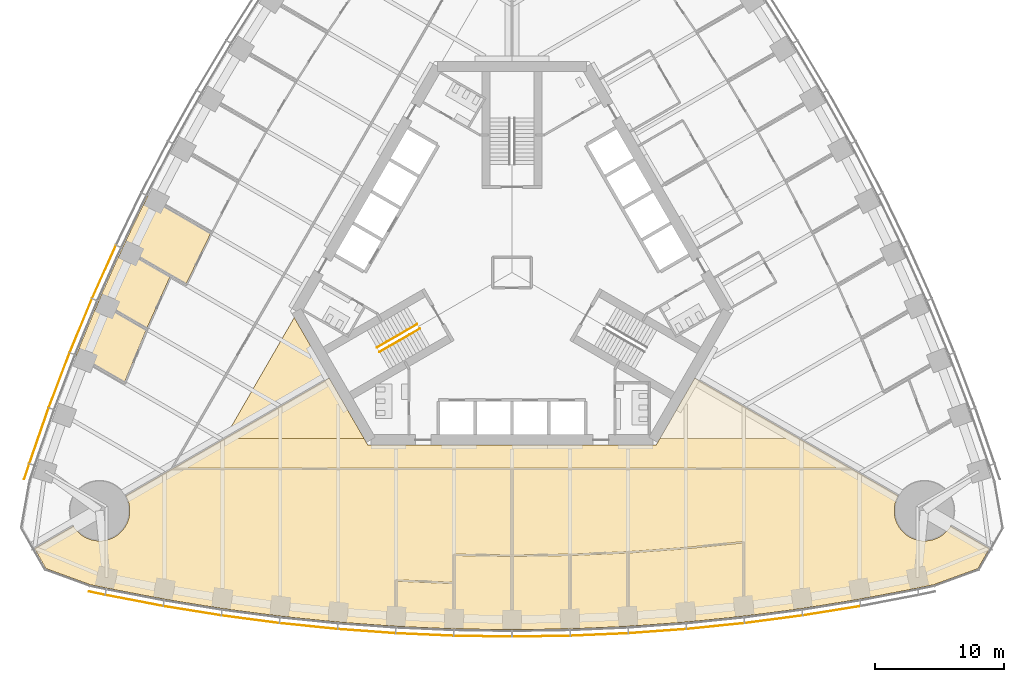
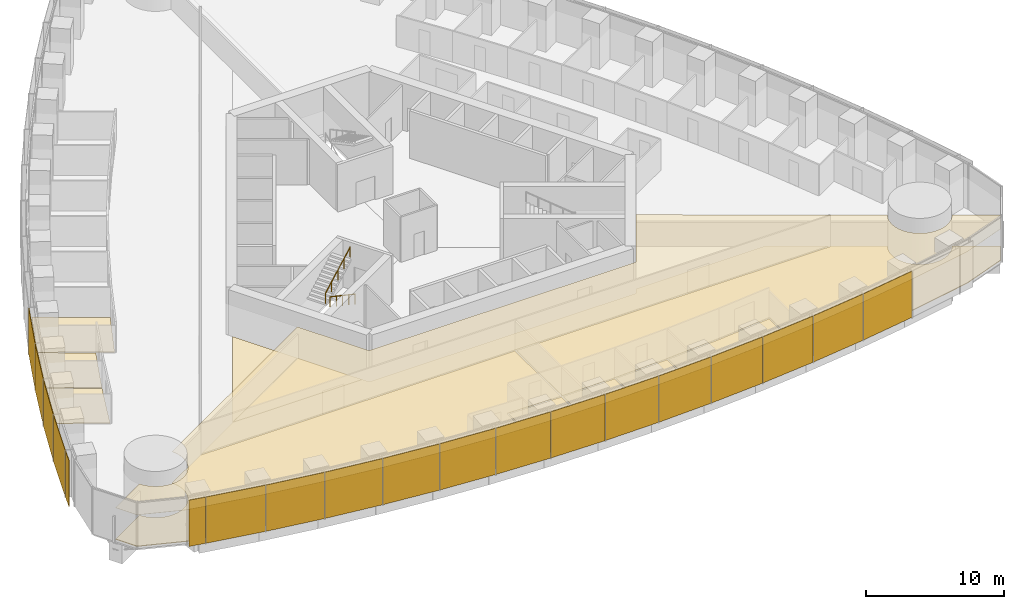
# One storey, part 14 of 18: 19 shading devices, 14 coverings, 2 railings.
"""IFC4 building model written with IfcOpenShell, lengths in metres."""

from ifc_helpers import new_model, si_unit, direction, frame, origin, origin_2d, place, context, subcontext, project, spatial, polyline, rectangle, circle, outline, extrude, material, layer, layer_set, type_object, element, save


model = new_model("IFC4")

# Units and contexts
model_context = context("Model", 3, precision=1e-05, world=origin(), true_north=direction((0.0, 1.0)))
body_context = subcontext(model_context, "Body", "Model", "MODEL_VIEW")
ifc_project = project(units=[si_unit("LENGTHUNIT", "METRE"), si_unit("AREAUNIT", "SQUARE_METRE"), si_unit("VOLUMEUNIT", "CUBIC_METRE"), si_unit("PLANEANGLEUNIT", "RADIAN"), si_unit("MASSUNIT", "GRAM", prefix="KILO")], contexts=[model_context])

# Site, building, storey
site_placement = place(None, origin())
site = spatial("IfcSite", under=ifc_project, at=site_placement, CompositionType="ELEMENT")
building_placement = place(site_placement, origin())
building = spatial("IfcBuilding", under=site, at=building_placement, Name="Trefoil Bronze Tower", CompositionType="ELEMENT")
storey_placement = place(building_placement, frame((0.0, 0.0, 58.5)))
storey = spatial("IfcBuildingStorey", under=building, at=storey_placement, Name="L13", CompositionType="ELEMENT", Elevation=58.5)

# Shading devices
ifc_material_1 = material(Name="Perforated bronze sheet", Category="bronze")
ifc_layer_1 = layer(ifc_material_1, 0.0400390625)
ifc_layer_set_1 = layer_set([ifc_layer_1], Name="Bronze solar screen panel")
shading_device_type = type_object("IfcShadingDeviceType", Name="Bronze solar screen panel", PredefinedType="SHUTTER", material=ifc_layer_set_1)
shading_device_1_placement = place(storey_placement, frame((-32.2431640625, -24.91064453125, 0.050048828125), z_axis=(0.0, 0.0, 1.0), x_axis=(0.978302717041, -0.207180582657, 0.0)))
element("IfcShadingDevice", 1, at=shading_device_1_placement, inside=storey, type_object=shading_device_type, Name="Solar screen CW-A L13 F1 bay 1", PredefinedType="SHUTTER", context=body_context, shape_type="SweptSolid", body=[
    extrude(rectangle(XDim=1.260498046875, YDim=0.0400390625, at=origin_2d()), origin(), (0.0, 0.0, 1.0), 4.10009765625),
])
shading_device_2_placement = place(storey_placement, frame((-29.351806640625, -25.478515625, 0.050048828125), z_axis=(0.0, 0.0, 1.0), x_axis=(0.982049823817, -0.188621694249, 0.0)))
element("IfcShadingDevice", 2, at=shading_device_2_placement, inside=storey, type_object=shading_device_type, Name="Solar screen CW-A L13 F1 bay 2", PredefinedType="SHUTTER", context=body_context, shape_type="SweptSolid", body=[
    extrude(rectangle(XDim=4.55224609375, YDim=0.0400390625, at=origin_2d()), origin(), (0.0, 0.0, 1.0), 4.10009765625),
])
shading_device_3_placement = place(storey_placement, frame((-24.836181640625, -26.277099609375, 0.050048828125), z_axis=(0.0, 0.0, 1.0), x_axis=(0.987181315145, -0.159602791421, 0.0)))
element("IfcShadingDevice", 3, at=shading_device_3_placement, inside=storey, type_object=shading_device_type, Name="Solar screen CW-A L13 F1 bay 3", PredefinedType="SHUTTER", context=body_context, shape_type="SweptSolid", body=[
    extrude(rectangle(XDim=4.5283203125, YDim=0.0400390625, at=origin_2d()), origin(), (0.0, 0.0, 1.0), 4.10009765625),
])
shading_device_4_placement = place(storey_placement, frame((-20.320556640625, -26.939697265625, 0.050048828125), z_axis=(0.0, 0.0, 1.0), x_axis=(0.991437251591, -0.130583981243, 0.0)))
element("IfcShadingDevice", 4, at=shading_device_4_placement, inside=storey, type_object=shading_device_type, Name="Solar screen CW-A L13 F1 bay 4", PredefinedType="SHUTTER", context=body_context, shape_type="SweptSolid", body=[
    extrude(rectangle(XDim=4.5087890625, YDim=0.0400390625, at=origin_2d()), origin(), (0.0, 0.0, 1.0), 4.10009765625),
])
shading_device_5_placement = place(storey_placement, frame((-15.804931640625, -27.467529296875, 0.050048828125), z_axis=(0.0, 0.0, 1.0), x_axis=(0.994828880293, -0.101565244717, 0.0)))
element("IfcShadingDevice", 5, at=shading_device_5_placement, inside=storey, type_object=shading_device_type, Name="Solar screen CW-A L13 F1 bay 5", PredefinedType="SHUTTER", context=body_context, shape_type="SweptSolid", body=[
    extrude(rectangle(XDim=4.493408203125, YDim=0.0400390625, at=origin_2d()), origin(), (0.0, 0.0, 1.0), 4.10009765625),
])
shading_device_6_placement = place(storey_placement, frame((-11.2890625, -27.8623046875, 0.050048828125), z_axis=(0.0, 0.0, 1.0), x_axis=(0.99736502647, -0.072546564177, 0.0)))
element("IfcShadingDevice", 6, at=shading_device_6_placement, inside=storey, type_object=shading_device_type, Name="Solar screen CW-A L13 F1 bay 6", PredefinedType="SHUTTER", context=body_context, shape_type="SweptSolid", body=[
    extrude(rectangle(XDim=4.48193359375, YDim=0.0400390625, at=origin_2d()), origin(), (0.0, 0.0, 1.0), 4.10009765625),
])
shading_device_7_placement = place(storey_placement, frame((-6.7734375, -28.124755859375, 0.050048828125), z_axis=(0.0, 0.0, 1.0), x_axis=(0.999052210809, -0.043527922969, 0.0)))
element("IfcShadingDevice", 7, at=shading_device_7_placement, inside=storey, type_object=shading_device_type, Name="Solar screen CW-A L13 F1 bay 7", PredefinedType="SHUTTER", context=body_context, shape_type="SweptSolid", body=[
    extrude(rectangle(XDim=4.474365234375, YDim=0.0400390625, at=origin_2d()), origin(), (0.0, 0.0, 1.0), 4.10009765625),
])
for number, where, z_axis, x_axis, name in (
    (8, (-2.2578125, -28.256103515625, 0.050048828125), (0.0, 0.0, 1.0), (0.999894734493, -0.014509305083, 0.0), "Solar screen CW-A L13 F1 bay 8"),
    (9, (2.2578125, -28.256103515625, 0.050048828125), (0.0, 0.0, 1.0), (0.999894734493, 0.014509305083, 0.0), "Solar screen CW-A L13 F1 bay 9"),
):
    element("IfcShadingDevice", number, at=place(storey_placement, frame(where, z_axis=z_axis, x_axis=x_axis)), inside=storey, type_object=shading_device_type, Name=name, PredefinedType="SHUTTER", context=body_context, shape_type="SweptSolid", body=[
        extrude(rectangle(XDim=4.470458984375, YDim=0.0400390625, at=origin_2d()), origin(), (0.0, 0.0, 1.0), 4.10009765625),
    ])
shading_device_8_placement = place(storey_placement, frame((6.7734375, -28.124755859375, 0.050048828125), z_axis=(0.0, 0.0, 1.0), x_axis=(0.999052210809, 0.043527922969, 0.0)))
element("IfcShadingDevice", 10, at=shading_device_8_placement, inside=storey, type_object=shading_device_type, Name="Solar screen CW-A L13 F1 bay 10", PredefinedType="SHUTTER", context=body_context, shape_type="SweptSolid", body=[
    extrude(rectangle(XDim=4.474365234375, YDim=0.0400390625, at=origin_2d()), origin(), (0.0, 0.0, 1.0), 4.10009765625),
])
shading_device_9_placement = place(storey_placement, frame((11.2890625, -27.8623046875, 0.050048828125), z_axis=(0.0, 0.0, 1.0), x_axis=(0.99736502647, 0.072546564177, 0.0)))
element("IfcShadingDevice", 11, at=shading_device_9_placement, inside=storey, type_object=shading_device_type, Name="Solar screen CW-A L13 F1 bay 11", PredefinedType="SHUTTER", context=body_context, shape_type="SweptSolid", body=[
    extrude(rectangle(XDim=4.48193359375, YDim=0.0400390625, at=origin_2d()), origin(), (0.0, 0.0, 1.0), 4.10009765625),
])
shading_device_10_placement = place(storey_placement, frame((15.804931640625, -27.467529296875, 0.050048828125), z_axis=(0.0, 0.0, 1.0), x_axis=(0.994828880293, 0.101565244717, 0.0)))
element("IfcShadingDevice", 12, at=shading_device_10_placement, inside=storey, type_object=shading_device_type, Name="Solar screen CW-A L13 F1 bay 12", PredefinedType="SHUTTER", context=body_context, shape_type="SweptSolid", body=[
    extrude(rectangle(XDim=4.493408203125, YDim=0.0400390625, at=origin_2d()), origin(), (0.0, 0.0, 1.0), 4.10009765625),
])
shading_device_11_placement = place(storey_placement, frame((20.320556640625, -26.939697265625, 0.050048828125), z_axis=(0.0, 0.0, 1.0), x_axis=(0.991437251591, 0.130583981243, 0.0)))
element("IfcShadingDevice", 13, at=shading_device_11_placement, inside=storey, type_object=shading_device_type, Name="Solar screen CW-A L13 F1 bay 13", PredefinedType="SHUTTER", context=body_context, shape_type="SweptSolid", body=[
    extrude(rectangle(XDim=4.5087890625, YDim=0.0400390625, at=origin_2d()), origin(), (0.0, 0.0, 1.0), 4.10009765625),
])
shading_device_12_placement = place(storey_placement, frame((24.836181640625, -26.277099609375, 0.050048828125), z_axis=(0.0, 0.0, 1.0), x_axis=(0.987181315145, 0.159602791421, 0.0)))
element("IfcShadingDevice", 14, at=shading_device_12_placement, inside=storey, type_object=shading_device_type, Name="Solar screen CW-A L13 F1 bay 14", PredefinedType="SHUTTER", context=body_context, shape_type="SweptSolid", body=[
    extrude(rectangle(XDim=4.5283203125, YDim=0.0400390625, at=origin_2d()), origin(), (0.0, 0.0, 1.0), 4.10009765625),
])
shading_device_13_placement = place(storey_placement, frame((-31.68994140625, 0.04638671875, 0.050048828125), z_axis=(0.0, 0.0, 1.0), x_axis=(-0.40945635808, -0.912329705111, 0.0)))
element("IfcShadingDevice", 15, at=shading_device_13_placement, inside=storey, type_object=shading_device_type, Name="Solar screen CW-A L13 F3 bay 12", PredefinedType="SHUTTER", context=body_context, shape_type="SweptSolid", body=[
    extrude(rectangle(XDim=4.493408203125, YDim=0.0400390625, at=origin_2d()), origin(), (0.0, 0.0, 1.0), 4.10009765625),
])
shading_device_14_placement = place(storey_placement, frame((-33.49072265625, -4.128173828125, 0.050048828125), z_axis=(0.0, 0.0, 1.0), x_axis=(-0.382629580712, -0.923901836758, 0.0)))
element("IfcShadingDevice", 16, at=shading_device_14_placement, inside=storey, type_object=shading_device_type, Name="Solar screen CW-A L13 F3 bay 13", PredefinedType="SHUTTER", context=body_context, shape_type="SweptSolid", body=[
    extrude(rectangle(XDim=4.5087890625, YDim=0.0400390625, at=origin_2d()), origin(), (0.0, 0.0, 1.0), 4.10009765625),
])
shading_device_15_placement = place(storey_placement, frame((-35.1748046875, -8.3701171875, 0.050048828125), z_axis=(0.0, 0.0, 1.0), x_axis=(-0.355370585687, -0.934725492767, 0.0)))
element("IfcShadingDevice", 17, at=shading_device_15_placement, inside=storey, type_object=shading_device_type, Name="Solar screen CW-A L13 F3 bay 14", PredefinedType="SHUTTER", context=body_context, shape_type="SweptSolid", body=[
    extrude(rectangle(XDim=4.5283203125, YDim=0.0400390625, at=origin_2d()), origin(), (0.0, 0.0, 1.0), 4.10009765625),
])
shading_device_16_placement = place(storey_placement, frame((-36.740966796875, -12.68017578125, 0.050048828125), z_axis=(0.0, 0.0, 1.0), x_axis=(-0.327673732984, -0.944790942332, 0.0)))
element("IfcShadingDevice", 18, at=shading_device_16_placement, inside=storey, type_object=shading_device_type, Name="Solar screen CW-A L13 F3 bay 15", PredefinedType="SHUTTER", context=body_context, shape_type="SweptSolid", body=[
    extrude(rectangle(XDim=4.55224609375, YDim=0.0400390625, at=origin_2d()), origin(), (0.0, 0.0, 1.0), 4.10009765625),
])
shading_device_17_placement = place(storey_placement, frame((-37.69482421875, -15.468017578125, 0.050048828125), z_axis=(0.0, 0.0, 1.0), x_axis=(-0.309727710769, -0.950825296877, 0.0)))
element("IfcShadingDevice", 19, at=shading_device_17_placement, inside=storey, type_object=shading_device_type, Name="Solar screen CW-A L13 F3 bay 16", PredefinedType="SHUTTER", context=body_context, shape_type="SweptSolid", body=[
    extrude(rectangle(XDim=1.260498046875, YDim=0.0400390625, at=origin_2d()), origin(), (0.0, 0.0, 1.0), 4.10009765625),
])

# Railings
ifc_material_2 = material(Name="Steel handrail", Category="steel")
railing_type = type_object("IfcRailingType", Name="Handrail 900", PredefinedType="HANDRAIL", material=ifc_material_2)
railing_1_placement = place(storey_placement, frame((-7.166015625, -4.3681640625, 0.16162109375)))
element("IfcRailing", 20, at=railing_1_placement, inside=storey, type_object=railing_type, Name="Handrail ST3 flight 1 L13", PredefinedType="HANDRAIL", context=body_context, shape_type="SweptSolid", body=[
    extrude(circle(Radius=0.02392578125, at=origin_2d()), frame((0.0, 0.0, 0.8759765625), z_axis=(-0.76250339821, -0.440245697338, 0.474101564745), x_axis=(0.500012057535, -0.866018442252, 0.0)), (0.0, 0.0, 1.0), 4.088623046875),
    extrude(circle(Radius=0.02099609375, at=origin_2d()), origin(), (0.0, 0.0, 1.0), 0.851806640625),
    extrude(circle(Radius=0.02099609375, at=origin_2d()), frame((-0.779296875, -0.449951171875, 0.484619140625)), (0.0, 0.0, 1.0), 0.851806640625),
    extrude(circle(Radius=0.02099609375, at=origin_2d()), frame((-1.558837890625, -0.89990234375, 0.96923828125)), (0.0, 0.0, 1.0), 0.851806640625),
    extrude(circle(Radius=0.02099609375, at=origin_2d()), frame((-2.33837890625, -1.35009765625, 1.453857421875)), (0.0, 0.0, 1.0), 0.851806640625),
    extrude(circle(Radius=0.02099609375, at=origin_2d()), frame((-3.11767578125, -1.800048828125, 1.9384765625)), (0.0, 0.0, 1.0), 0.851806640625),
])
railing_2_placement = place(storey_placement, frame((-10.483642578125, -5.82177734375, 2.261474609375)))
element("IfcRailing", 21, at=railing_2_placement, inside=storey, type_object=railing_type, Name="Handrail ST3 flight 2 L13", PredefinedType="HANDRAIL", context=body_context, shape_type="SweptSolid", body=[
    extrude(circle(Radius=0.02392578125, at=origin_2d()), frame((0.0, 0.0, 0.8759765625), z_axis=(0.76250339821, 0.440245697338, 0.474101564745), x_axis=(-0.500012057535, 0.866018442252, 0.0)), (0.0, 0.0, 1.0), 4.088623046875),
    extrude(circle(Radius=0.02099609375, at=origin_2d()), origin(), (0.0, 0.0, 1.0), 0.851806640625),
    extrude(circle(Radius=0.02099609375, at=origin_2d()), frame((0.779296875, 0.449951171875, 0.484619140625)), (0.0, 0.0, 1.0), 0.851806640625),
    extrude(circle(Radius=0.02099609375, at=origin_2d()), frame((1.558837890625, 0.89990234375, 0.96923828125)), (0.0, 0.0, 1.0), 0.851806640625),
    extrude(circle(Radius=0.02099609375, at=origin_2d()), frame((2.33837890625, 1.35009765625, 1.453857421875)), (0.0, 0.0, 1.0), 0.851806640625),
    extrude(circle(Radius=0.02099609375, at=origin_2d()), frame((3.11767578125, 1.800048828125, 1.9384765625)), (0.0, 0.0, 1.0), 0.851806640625),
])

# Coverings
ifc_material_3 = material(Name="Acoustic ceiling panels", Category="mineral fibre")
ifc_layer_2 = layer(ifc_material_3, 0.02001953125)
ifc_layer_set_2 = layer_set([ifc_layer_2], Name="Office ceiling 20")
covering_type_1 = type_object("IfcCoveringType", Name="Office ceiling 20", PredefinedType="CEILING", material=ifc_layer_set_2)
covering_1_placement = place(storey_placement, frame((0.0, 0.0, 2.89990234375)))
element("IfcCovering", 22, at=covering_1_placement, inside=storey, type_object=covering_type_1, Name="Ceiling L13 Open-plan office F1", PredefinedType="CEILING", context=body_context, shape_type="SweptSolid", body=[
    extrude(outline(polyline([(-33.996826171875, -19.8056640625), (-33.930419921875, -19.89990234375), (-33.859619140625, -19.99072265625), (-33.7841796875, -20.078125), (-33.70458984375, -20.16162109375), (-33.62109375, -20.2412109375), (-33.53369140625, -20.316650390625), (-33.44287109375, -20.387451171875), (-33.348388671875, -20.4541015625), (-33.251220703125, -20.515625), (-33.150634765625, -20.572509765625), (-33.047607421875, -20.62451171875), (-32.942138671875, -20.671142578125), (-32.834716796875, -20.712646484375), (-32.72509765625, -20.748779296875), (-32.614013671875, -20.779541015625), (-32.50146484375, -20.8046875), (-32.3876953125, -20.82470703125), (-32.273193359375, -20.838623046875), (-32.158203125, -20.84716796875), (-32.04296875, -20.85009765625), (-31.927490234375, -20.84716796875), (-31.8125, -20.838623046875), (-31.697998046875, -20.82470703125), (-31.58447265625, -20.8046875), (-31.471923828125, -20.779541015625), (-31.36083984375, -20.748779296875), (-31.251220703125, -20.712646484375), (-31.1435546875, -20.671142578125), (-31.0380859375, -20.62451171875), (-30.935302734375, -20.572509765625), (-30.834716796875, -20.515625), (-30.7373046875, -20.4541015625), (-30.64306640625, -20.387451171875), (-30.552001953125, -20.316650390625), (-30.46484375, -20.2412109375), (-30.381103515625, -20.16162109375), (-30.3017578125, -20.078125), (-30.226318359375, -19.99072265625), (-30.155517578125, -19.89990234375), (-30.089111328125, -19.8056640625), (-30.02734375, -19.7080078125), (-29.970458984375, -19.60791015625), (-29.918701171875, -19.5048828125), (-29.871826171875, -19.3994140625), (-29.830322265625, -19.291748046875), (-29.794189453125, -19.18212890625), (-29.763427734375, -19.071044921875), (-29.738037109375, -18.95849609375), (-29.718505859375, -18.8447265625), (-29.704345703125, -18.730224609375), (-29.69580078125, -18.615234375), (-29.69287109375, -18.5), (-29.69580078125, -18.384765625), (-29.704345703125, -18.269775390625), (-29.718505859375, -18.1552734375), (-29.738037109375, -18.04150390625), (-29.763427734375, -17.928955078125), (-29.794189453125, -17.81787109375), (-29.830322265625, -17.708251953125), (-29.871826171875, -17.6005859375), (-29.918701171875, -17.4951171875), (-29.970458984375, -17.39208984375), (-30.001953125, -17.336669921875), (-14.19970703125, -8.205322265625), (-11.20068359375, -13.39990234375), (11.20068359375, -13.39990234375), (14.19970703125, -8.205322265625), (30.001953125, -17.336669921875), (29.970458984375, -17.39208984375), (29.918701171875, -17.4951171875), (29.871826171875, -17.6005859375), (29.830322265625, -17.708251953125), (29.794189453125, -17.81787109375), (29.763427734375, -17.928955078125), (29.738037109375, -18.04150390625), (29.718505859375, -18.1552734375), (29.704345703125, -18.269775390625), (29.69580078125, -18.384765625), (29.69287109375, -18.5), (29.69580078125, -18.615234375), (29.704345703125, -18.730224609375), (29.718505859375, -18.8447265625), (29.738037109375, -18.95849609375), (29.763427734375, -19.071044921875), (29.794189453125, -19.18212890625), (29.830322265625, -19.291748046875), (29.871826171875, -19.3994140625), (29.918701171875, -19.5048828125), (29.970458984375, -19.60791015625), (30.02734375, -19.7080078125), (30.089111328125, -19.8056640625), (30.155517578125, -19.89990234375), (30.226318359375, -19.99072265625), (30.3017578125, -20.078125), (30.381103515625, -20.16162109375), (30.46484375, -20.2412109375), (30.552001953125, -20.316650390625), (30.64306640625, -20.387451171875), (30.7373046875, -20.4541015625), (30.834716796875, -20.515625), (30.935302734375, -20.572509765625), (31.0380859375, -20.62451171875), (31.1435546875, -20.671142578125), (31.251220703125, -20.712646484375), (31.36083984375, -20.748779296875), (31.471923828125, -20.779541015625), (31.58447265625, -20.8046875), (31.697998046875, -20.82470703125), (31.8125, -20.838623046875), (31.927490234375, -20.84716796875), (32.04296875, -20.85009765625), (32.158203125, -20.84716796875), (32.273193359375, -20.838623046875), (32.3876953125, -20.82470703125), (32.50146484375, -20.8046875), (32.614013671875, -20.779541015625), (32.72509765625, -20.748779296875), (32.834716796875, -20.712646484375), (32.942138671875, -20.671142578125), (33.047607421875, -20.62451171875), (33.150634765625, -20.572509765625), (33.251220703125, -20.515625), (33.348388671875, -20.4541015625), (33.44287109375, -20.387451171875), (33.53369140625, -20.316650390625), (33.62109375, -20.2412109375), (33.70458984375, -20.16162109375), (33.7841796875, -20.078125), (33.859619140625, -19.99072265625), (33.930419921875, -19.89990234375), (33.996826171875, -19.8056640625), (34.0703125, -19.6875), (37.094482421875, -21.43505859375), (36.190673828125, -23.0009765625), (32.762451171875, -24.248779296875), (31.5, -24.51611328125), (27.0, -25.38037109375), (22.5, -26.10791015625), (18.0, -26.70068359375), (13.5, -27.159912109375), (9.0, -27.4873046875), (4.5, -27.683349609375), (0.0, -27.748779296875), (-4.5, -27.683349609375), (-9.0, -27.4873046875), (-13.5, -27.159912109375), (-18.0, -26.70068359375), (-22.5, -26.10791015625), (-27.0, -25.38037109375), (-31.5, -24.51611328125), (-32.762451171875, -24.248779296875), (-36.190673828125, -23.0009765625), (-37.094482421875, -21.43505859375), (-34.0703125, -19.6875), (-33.996826171875, -19.8056640625)])), origin(), (0.0, 0.0, 1.0), 0.02001953125),
])
ifc_material_4 = material(Name="Raised access floor panels", Category="steel")
ifc_layer_3 = layer(ifc_material_4, 0.050048828125)
ifc_layer_set_3 = layer_set([ifc_layer_3], Name="Raised access floor 150")
covering_type_2 = type_object("IfcCoveringType", Name="Raised access floor 150", PredefinedType="FLOORING", material=ifc_layer_set_3)
covering_2_placement = place(storey_placement, frame((0.0, 0.0, 0.10009765625)))
element("IfcCovering", 23, at=covering_2_placement, inside=storey, type_object=covering_type_2, Name="Raised floor L13 Kitchen and breakout F1", PredefinedType="FLOORING", context=body_context, shape_type="SweptSolid", body=[
    extrude(outline(polyline([(13.5, -27.159912109375), (9.0, -27.4873046875), (9.0, -25.90478515625), (9.06005859375, -25.90478515625), (9.06005859375, -21.793212890625), (13.50439453125, -21.469970703125), (13.5, -21.409912109375), (13.506103515625, -21.4697265625), (17.93994140625, -21.01708984375), (17.93994140625, -25.10986328125), (18.0, -25.10986328125), (18.0, -26.70068359375), (13.5, -27.159912109375)])), origin(), (0.0, 0.0, 1.0), 0.0498046875),
])
covering_3_placement = place(storey_placement, frame((0.0, 0.0, 0.10009765625)))
element("IfcCovering", 24, at=covering_3_placement, inside=storey, type_object=covering_type_2, Name="Raised floor L13 Meeting room F1", PredefinedType="FLOORING", context=body_context, shape_type="SweptSolid", body=[
    extrude(outline(polyline([(9.0, -27.4873046875), (4.5, -27.683349609375), (4.5, -26.102783203125), (4.56005859375, -26.102783203125), (4.56005859375, -21.990966796875), (8.93994140625, -21.800048828125), (8.93994140625, -25.90478515625), (9.0, -25.90478515625), (9.0, -27.4873046875)])), origin(), (0.0, 0.0, 1.0), 0.0498046875),
])
covering_4_placement = place(storey_placement, frame((0.0, 0.0, 0.10009765625)))
element("IfcCovering", 25, at=covering_4_placement, inside=storey, type_object=covering_type_2, Name="Raised floor L13 Meeting room F1", PredefinedType="FLOORING", context=body_context, shape_type="SweptSolid", body=[
    extrude(outline(polyline([(4.5, -27.683349609375), (0.0, -27.748779296875), (0.0, -26.168701171875), (0.074951171875, -26.168701171875), (0.074951171875, -22.0576171875), (4.43994140625, -21.994384765625), (4.43994140625, -26.102783203125), (4.5, -26.102783203125), (4.5, -27.683349609375)])), origin(), (0.0, 0.0, 1.0), 0.0498046875),
])
covering_5_placement = place(storey_placement, frame((0.0, 0.0, 0.10009765625)))
element("IfcCovering", 26, at=covering_5_placement, inside=storey, type_object=covering_type_2, Name="Raised floor L13 Meeting room F1", PredefinedType="FLOORING", context=body_context, shape_type="SweptSolid", body=[
    extrude(outline(polyline([(0.0, -27.748779296875), (-4.5, -27.683349609375), (-4.5, -26.102783203125), (-4.43994140625, -26.102783203125), (-4.43994140625, -21.994384765625), (-0.074951171875, -22.0576171875), (-0.074951171875, -26.168701171875), (0.0, -26.168701171875), (0.0, -27.748779296875)])), origin(), (0.0, 0.0, 1.0), 0.0498046875),
])
covering_6_placement = place(storey_placement, frame((0.0, 0.0, 0.10009765625)))
element("IfcCovering", 27, at=covering_6_placement, inside=storey, type_object=covering_type_2, Name="Raised floor L13 Comms room F1", PredefinedType="FLOORING", context=body_context, shape_type="SweptSolid", body=[
    extrude(outline(polyline([(-4.5, -27.683349609375), (-9.0, -27.4873046875), (-9.0, -25.90478515625), (-8.93994140625, -25.90478515625), (-8.93994140625, -23.985107421875), (-4.56005859375, -24.17578125), (-4.56005859375, -26.102783203125), (-4.5, -26.102783203125), (-4.5, -27.683349609375)])), origin(), (0.0, 0.0, 1.0), 0.0498046875),
])
covering_7_placement = place(storey_placement, frame((0.0, 0.0, 0.10009765625)))
element("IfcCovering", 28, at=covering_7_placement, inside=storey, type_object=covering_type_2, Name="Raised floor L13 Corridor F1", PredefinedType="FLOORING", context=body_context, shape_type="SweptSolid", body=[
    extrude(outline(polyline([(-26.304443359375, -15.199951171875), (-22.32421875, -12.89990234375), (-11.4892578125, -12.89990234375), (-11.20068359375, -13.39990234375), (11.20068359375, -13.39990234375), (11.4892578125, -12.89990234375), (22.32421875, -12.89990234375), (26.304443359375, -15.199951171875), (-26.304443359375, -15.199951171875)])), origin(), (0.0, 0.0, 1.0), 0.0498046875),
])
covering_8_placement = place(storey_placement, frame((0.0, 0.0, 0.10009765625)))
element("IfcCovering", 29, at=covering_8_placement, inside=storey, type_object=covering_type_2, Name="Raised floor L13 Open-plan office F1", PredefinedType="FLOORING", context=body_context, shape_type="SweptSolid", body=[
    extrude(outline(polyline([(-29.918701171875, -17.4951171875), (-29.970458984375, -17.39208984375), (-30.001953125, -17.336669921875), (-26.398193359375, -15.254150390625), (-26.398193359375, -15.320068359375), (-0.074951171875, -15.320068359375), (-0.074951171875, -21.9375), (-4.4990234375, -21.873291015625), (-4.5, -21.933349609375), (-4.56005859375, -21.933349609375), (-4.56005859375, -24.0556640625), (-8.997314453125, -23.8623046875), (-9.0, -23.92236328125), (-9.06005859375, -23.92236328125), (-9.06005859375, -25.90478515625), (-9.0, -25.90478515625), (-9.0, -27.4873046875), (-13.5, -27.159912109375), (-18.0, -26.70068359375), (-22.5, -26.10791015625), (-27.0, -25.38037109375), (-31.5, -24.51611328125), (-32.762451171875, -24.248779296875), (-36.190673828125, -23.0009765625), (-37.094482421875, -21.43505859375), (-34.0703125, -19.6875), (-33.996826171875, -19.8056640625), (-33.930419921875, -19.89990234375), (-33.859619140625, -19.99072265625), (-33.7841796875, -20.078125), (-33.70458984375, -20.16162109375), (-33.62109375, -20.2412109375), (-33.53369140625, -20.316650390625), (-33.44287109375, -20.387451171875), (-33.348388671875, -20.4541015625), (-33.251220703125, -20.515625), (-33.150634765625, -20.572509765625), (-33.047607421875, -20.62451171875), (-32.942138671875, -20.671142578125), (-32.834716796875, -20.712646484375), (-32.72509765625, -20.748779296875), (-32.614013671875, -20.779541015625), (-32.50146484375, -20.8046875), (-32.3876953125, -20.82470703125), (-32.273193359375, -20.838623046875), (-32.158203125, -20.84716796875), (-32.04296875, -20.85009765625), (-31.927490234375, -20.84716796875), (-31.8125, -20.838623046875), (-31.697998046875, -20.82470703125), (-31.58447265625, -20.8046875), (-31.471923828125, -20.779541015625), (-31.36083984375, -20.748779296875), (-31.251220703125, -20.712646484375), (-31.1435546875, -20.671142578125), (-31.0380859375, -20.62451171875), (-30.935302734375, -20.572509765625), (-30.834716796875, -20.515625), (-30.7373046875, -20.4541015625), (-30.64306640625, -20.387451171875), (-30.552001953125, -20.316650390625), (-30.46484375, -20.2412109375), (-30.381103515625, -20.16162109375), (-30.3017578125, -20.078125), (-30.226318359375, -19.99072265625), (-30.155517578125, -19.89990234375), (-30.089111328125, -19.8056640625), (-30.02734375, -19.7080078125), (-29.970458984375, -19.60791015625), (-29.918701171875, -19.5048828125), (-29.871826171875, -19.3994140625), (-29.830322265625, -19.291748046875), (-29.794189453125, -19.18212890625), (-29.763427734375, -19.071044921875), (-29.738037109375, -18.95849609375), (-29.718505859375, -18.8447265625), (-29.704345703125, -18.730224609375), (-29.69580078125, -18.615234375), (-29.69287109375, -18.5), (-29.69580078125, -18.384765625), (-29.704345703125, -18.269775390625), (-29.718505859375, -18.1552734375), (-29.738037109375, -18.04150390625), (-29.763427734375, -17.928955078125), (-29.794189453125, -17.81787109375), (-29.830322265625, -17.708251953125), (-29.871826171875, -17.6005859375), (-29.918701171875, -17.4951171875)])), origin(), (0.0, 0.0, 1.0), 0.0498046875),
])
covering_9_placement = place(storey_placement, frame((0.0, 0.0, 0.10009765625)))
element("IfcCovering", 30, at=covering_9_placement, inside=storey, type_object=covering_type_2, Name="Raised floor L13 Open-plan office F1", PredefinedType="FLOORING", context=body_context, shape_type="SweptSolid", body=[
    extrude(outline(polyline([(-22.32421875, -12.89990234375), (-14.19970703125, -8.205322265625), (-11.4892578125, -12.89990234375), (-22.32421875, -12.89990234375)])), origin(), (0.0, 0.0, 1.0), 0.0498046875),
])
covering_10_placement = place(storey_placement, frame((0.0, 0.0, 0.10009765625)))
element("IfcCovering", 31, at=covering_10_placement, inside=storey, type_object=covering_type_2, Name="Raised floor L13 Open-plan office F1", PredefinedType="FLOORING", context=body_context, shape_type="SweptSolid", body=[
    extrude(outline(polyline([(18.0, -25.10986328125), (18.06005859375, -25.10986328125), (18.06005859375, -20.95068359375), (18.0, -20.95068359375), (17.993896484375, -20.890869140625), (13.890869140625, -21.309814453125), (13.0986328125, -21.379150390625), (8.99658203125, -21.677490234375), (4.498291015625, -21.873291015625), (0.074951171875, -21.9375), (0.074951171875, -15.320068359375), (26.398193359375, -15.320068359375), (26.398193359375, -15.254150390625), (30.001953125, -17.336669921875), (29.970458984375, -17.39208984375), (29.918701171875, -17.4951171875), (29.871826171875, -17.6005859375), (29.830322265625, -17.708251953125), (29.794189453125, -17.81787109375), (29.763427734375, -17.928955078125), (29.738037109375, -18.04150390625), (29.718505859375, -18.1552734375), (29.704345703125, -18.269775390625), (29.69580078125, -18.384765625), (29.69287109375, -18.5), (29.69580078125, -18.615234375), (29.704345703125, -18.730224609375), (29.718505859375, -18.8447265625), (29.738037109375, -18.95849609375), (29.763427734375, -19.071044921875), (29.794189453125, -19.18212890625), (29.830322265625, -19.291748046875), (29.871826171875, -19.3994140625), (29.918701171875, -19.5048828125), (29.970458984375, -19.60791015625), (30.02734375, -19.7080078125), (30.089111328125, -19.8056640625), (30.155517578125, -19.89990234375), (30.226318359375, -19.99072265625), (30.3017578125, -20.078125), (30.381103515625, -20.16162109375), (30.46484375, -20.2412109375), (30.552001953125, -20.316650390625), (30.64306640625, -20.387451171875), (30.7373046875, -20.4541015625), (30.834716796875, -20.515625), (30.935302734375, -20.572509765625), (31.0380859375, -20.62451171875), (31.1435546875, -20.671142578125), (31.251220703125, -20.712646484375), (31.36083984375, -20.748779296875), (31.471923828125, -20.779541015625), (31.58447265625, -20.8046875), (31.697998046875, -20.82470703125), (31.8125, -20.838623046875), (31.927490234375, -20.84716796875), (32.04296875, -20.85009765625), (32.158203125, -20.84716796875), (32.273193359375, -20.838623046875), (32.3876953125, -20.82470703125), (32.50146484375, -20.8046875), (32.614013671875, -20.779541015625), (32.72509765625, -20.748779296875), (32.834716796875, -20.712646484375), (32.942138671875, -20.671142578125), (33.047607421875, -20.62451171875), (33.150634765625, -20.572509765625), (33.251220703125, -20.515625), (33.348388671875, -20.4541015625), (33.44287109375, -20.387451171875), (33.53369140625, -20.316650390625), (33.62109375, -20.2412109375), (33.70458984375, -20.16162109375), (33.7841796875, -20.078125), (33.859619140625, -19.99072265625), (33.930419921875, -19.89990234375), (33.996826171875, -19.8056640625), (34.0703125, -19.6875), (37.094482421875, -21.43505859375), (36.190673828125, -23.0009765625), (32.762451171875, -24.248779296875), (31.5, -24.51611328125), (27.0, -25.38037109375), (22.5, -26.10791015625), (18.0, -26.70068359375), (18.0, -25.10986328125)])), origin(), (0.0, 0.0, 1.0), 0.0498046875),
])
covering_11_placement = place(storey_placement, frame((0.0, 0.0, 0.10009765625)))
element("IfcCovering", 32, at=covering_11_placement, inside=storey, type_object=covering_type_2, Name="Raised floor L13 Meeting room F3", PredefinedType="FLOORING", context=body_context, shape_type="SweptSolid", body=[
    extrude(outline(polyline([(-30.271240234375, 1.888671875), (-28.3046875, 5.949462890625), (-26.93408203125, 5.158203125), (-26.964111328125, 5.106201171875), (-23.4033203125, 3.05029296875), (-25.3173828125, -0.902099609375), (-28.867919921875, 1.147705078125), (-28.897705078125, 1.095703125), (-30.271240234375, 1.888671875)])), origin(), (0.0, 0.0, 1.0), 0.0498046875),
])
covering_12_placement = place(storey_placement, frame((0.0, 0.0, 0.10009765625)))
element("IfcCovering", 33, at=covering_12_placement, inside=storey, type_object=covering_type_2, Name="Raised floor L13 Pantry F3", PredefinedType="FLOORING", context=body_context, shape_type="SweptSolid", body=[
    extrude(outline(polyline([(-30.271240234375, 1.888671875), (-28.897705078125, 1.095703125), (-28.927734375, 1.043701171875), (-26.563720703125, -0.3212890625), (-28.366455078125, -4.337890625), (-30.7158203125, -2.9814453125), (-30.745849609375, -3.033447265625), (-32.123291015625, -2.23828125), (-30.271240234375, 1.888671875)])), origin(), (0.0, 0.0, 1.0), 0.0498046875),
])
covering_13_placement = place(storey_placement, frame((0.0, 0.0, 0.10009765625)))
element("IfcCovering", 34, at=covering_13_placement, inside=storey, type_object=covering_type_2, Name="Raised floor L13 Pantry F3", PredefinedType="FLOORING", context=body_context, shape_type="SweptSolid", body=[
    extrude(outline(polyline([(-33.860107421875, -6.431640625), (-32.123291015625, -2.23828125), (-30.745849609375, -3.033447265625), (-30.77587890625, -3.08544921875), (-28.414306640625, -4.44873046875), (-30.104736328125, -8.530517578125), (-32.447265625, -7.177978515625), (-32.477294921875, -7.22998046875), (-33.860107421875, -6.431640625)])), origin(), (0.0, 0.0, 1.0), 0.0498046875),
])
covering_14_placement = place(storey_placement, frame((0.0, 0.0, 0.10009765625)))
element("IfcCovering", 35, at=covering_14_placement, inside=storey, type_object=covering_type_2, Name="Raised floor L13 Open-plan office F3", PredefinedType="FLOORING", context=body_context, shape_type="SweptSolid", body=[
    extrude(outline(polyline([(-14.205810546875, -8.194580078125), (-22.333740234375, -12.88330078125), (-16.91650390625, -3.5), (-14.205810546875, -8.194580078125)])), origin(), (0.0, 0.0, 1.0), 0.0498046875),
])

save(model, "model.ifc")
